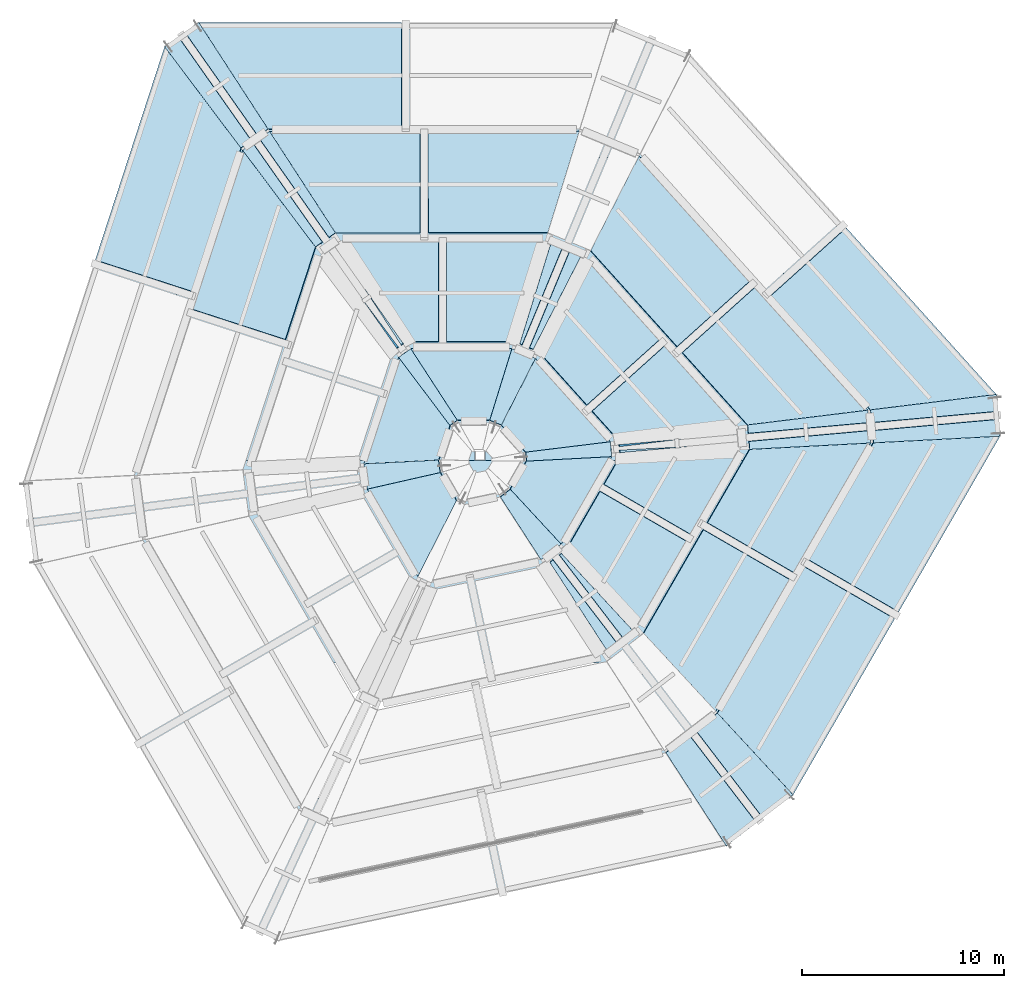
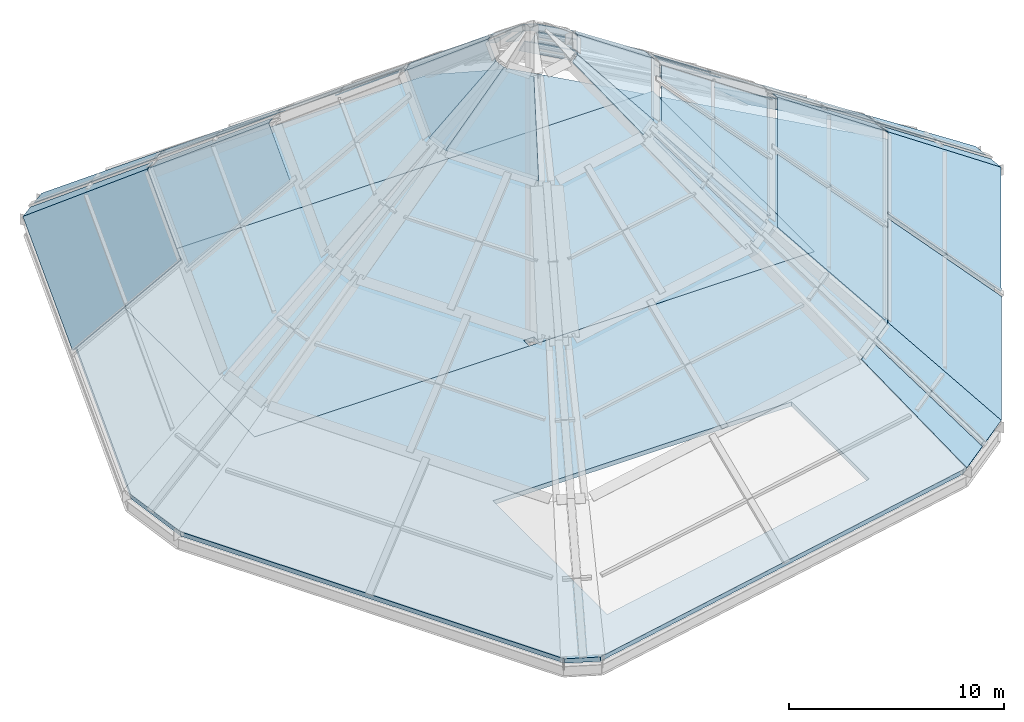
# One storey, part 5 of 10: 46 plates, 2 slabs, 10 elements without a shape of their own.
"""IFC4 building model written with IfcOpenShell, lengths in metres."""

from ifc_helpers import new_model, si_unit, direction, frame, origin, place, context, subcontext, project, spatial, polyline, outline, extrude, material, layer, layer_set, type_object, element, aggregate, save


model = new_model("IFC4")

# Units and contexts
model_context = context("Model", 3, precision=1e-05, world=origin(), true_north=direction((0.0, 1.0)))
body_context = subcontext(model_context, "Body", "Model", "MODEL_VIEW")
ifc_project = project(units=[si_unit("LENGTHUNIT", "METRE"), si_unit("AREAUNIT", "SQUARE_METRE"), si_unit("VOLUMEUNIT", "CUBIC_METRE"), si_unit("PLANEANGLEUNIT", "RADIAN"), si_unit("MASSUNIT", "GRAM", prefix="KILO")], contexts=[model_context])

# Site, building, storey
site_placement = place(None, origin())
site = spatial("IfcSite", under=ifc_project, at=site_placement, CompositionType="ELEMENT")
building_placement = place(site_placement, origin())
building = spatial("IfcBuilding", under=site, at=building_placement, Name="Isthmus Gate Tower", CompositionType="ELEMENT")
storey_placement = place(building_placement, frame((0.0, 0.0, 315.60009765625)))
storey = spatial("IfcBuildingStorey", under=building, at=storey_placement, Name="C4", CompositionType="ELEMENT", Elevation=315.60009765625)

# Slabs
ifc_material_1 = material(Name="Concrete f'c 40 MPa", Category="concrete")
ifc_layer_1 = layer(ifc_material_1, 0.25)
ifc_layer_set_1 = layer_set([ifc_layer_1], Name="CORE ROOF SLAB 250")
slab_type_1 = type_object("IfcSlabType", Name="CORE ROOF SLAB 250", PredefinedType="ROOF", material=ifc_layer_set_1)
slab_1_placement = place(storey_placement, frame((0.0, 0.0, -0.25)))
element("IfcSlab", 1, at=slab_1_placement, inside=storey, type_object=slab_type_1, Name="Core roof", PredefinedType="ROOF", context=body_context, shape_type="SweptSolid", body=[
    extrude(outline(polyline([(-15.0, 0.0), (-15.0, 15.0), (15.0, 15.0), (15.0, 0.0), (0.278564453125, 0.0), (0.278564453125, 0.528564453125), (-0.278564453125, 0.528564453125), (-0.278564453125, 0.0), (-15.0, 0.0)])), origin(), (0.0, 0.0, 1.0), 0.25),
])
ifc_material_2 = material(Name="Concrete f'c 40 MPa", Category="concrete")
ifc_layer_2 = layer(ifc_material_2, 0.25)
ifc_layer_set_2 = layer_set([ifc_layer_2], Name="CROWN PLANT ROOF SLAB 250")
slab_type_2 = type_object("IfcSlabType", Name="CROWN PLANT ROOF SLAB 250", PredefinedType="ROOF", material=ifc_layer_set_2)
slab_2_placement = place(storey_placement, frame((0.0, 0.0, -0.25)))
element("IfcSlab", 2, at=slab_2_placement, inside=storey, type_object=slab_type_2, Name="str-slab-C4-1", PredefinedType="ROOF", context=body_context, shape_type="SweptSolid", body=[
    extrude(outline(polyline([(10.1455078125, 19.88818359375), (14.546875, 15.0), (-15.0, 15.0), (-15.0, 0.0), (15.0, 0.0), (15.0, 14.496826171875), (25.30029296875, 3.05712890625), (25.45068359375, 1.381591796875), (15.174560546875, -16.416748046875), (12.15087890625, -18.73046875), (-10.00244140625, -23.439208984375), (-11.52880859375, -22.731689453125), (-21.8046875, -4.93310546875), (-22.29638671875, -1.15771484375), (-15.297607421875, 20.382080078125), (-13.921875, 21.35009765625), (6.630126953125, 21.35009765625), (10.1455078125, 19.88818359375)]), holes=[polyline([(-8.0, -20.611083984375), (8.0, -17.210205078125), (8.0, -10.0), (-8.0, -10.0), (-8.0, -20.611083984375)])]), origin(), (0.0, 0.0, 1.0), 0.25),
])

# Curtain wall, plates
ifc_material_3 = material(Name="Aluminium, white powder-coated", Category="aluminium")
ifc_layer_3 = layer(ifc_material_3, 0.199951171875)
ifc_layer_set_3 = layer_set([ifc_layer_3], Name="CW-5 CROWN FACET CURTAIN WALL 200 DEEP")
curtain_wall_type = type_object("IfcCurtainWallType", Name="CW-5 CROWN FACET CURTAIN WALL 200 DEEP", PredefinedType="NOTDEFINED", material=ifc_layer_set_3)
curtain_wall_1_placement = place(storey_placement, origin())
curtain_wall_1 = element("IfcCurtainWall", 3, at=curtain_wall_1_placement, inside=storey, type_object=curtain_wall_type, Name="CW-5 facet 1", PredefinedType="NOTDEFINED")
ifc_material_4 = material(Name="Laminated glass, pale blue tint with white frit", Category="glass")
ifc_layer_4 = layer(ifc_material_4, 0.035888671875)
ifc_layer_set_4 = layer_set([ifc_layer_4], Name="CW-5 GLASS LITE 36")
plate_type = type_object("IfcPlateType", Name="CW-5 GLASS LITE 36", PredefinedType="CURTAIN_PANEL", material=ifc_layer_set_4)
plate_1_placement = place(storey_placement, frame((-3.878173828125, 21.662109375, 0.291015625), z_axis=(1.311768e-06, 0.641925949797, 0.766766636582), x_axis=(-0.999999974801, -0.000171289676, 0.00014511202)))
plate_1 = element("IfcPlate", 4, at=plate_1_placement, type_object=plate_type, Name="CW-5 glass lite", PredefinedType="CURTAIN_PANEL", context=body_context, shape_type="SweptSolid", body=[
    extrude(outline(polyline([(0.0, 0.0), (10.025879158907436, 5.421010862427522e-19), (6.612623034424987, 6.8550083233580885), (0.000562226114843364, 6.854585873059012), (0.0, 0.0)])), origin(), (0.0, 0.0, -1.0), 0.035888671875),
])
placement_1 = place(building_placement, frame((0.0, 0.0, 320.10009765625)))
plate_2_placement = place(placement_1, frame((4.9033203125, 16.288818359375, 0.28955078125), z_axis=(3.902733e-06, 0.641940382661, 0.766754553357), x_axis=(-0.999999954574, -0.000228586994, 0.000196466985)))
plate_2 = element("IfcPlate", 5, at=plate_2_placement, type_object=plate_type, Name="CW-5 glass lite", PredefinedType="CURTAIN_PANEL", context=body_context, shape_type="SweptSolid", body=[
    extrude(outline(polyline([(0.0, 0.0), (7.467773776716603, 4.336808689942018e-19), (7.4685250590365735, 6.542964343307439), (1.5561711335390154, 6.542495554970179), (0.0, 0.0)])), origin(), (0.0, 0.0, -1.0), 0.035888671875),
])
plate_3_placement = place(placement_1, frame((-2.96435546875, 16.287109375, 0.291015625), z_axis=(1.5340588e-05, 0.641932699814, 0.766760985363), x_axis=(-0.999999954217, -0.000221875379, 0.000205761184)))
plate_3 = element("IfcPlate", 6, at=plate_3_placement, type_object=plate_type, Name="CW-5 glass lite", PredefinedType="CURTAIN_PANEL", context=body_context, shape_type="SweptSolid", body=[
    extrude(outline(polyline([(0.0, 0.0), (7.447510105243894, -2.168404344971009e-19), (4.189966017403029, 6.5436051147759695), (0.0010008434198526266, 6.543151466046655), (0.0, 0.0)])), origin(), (0.0, 0.0, -1.0), 0.035888671875),
])
placement_2 = place(building_placement, frame((0.0, 0.0, 324.60009765625)))
plate_4_placement = place(placement_2, frame((2.938232421875, 10.91357421875, 0.289794921875), z_axis=(6.851021e-06, 0.641940114568, 0.766754777789), x_axis=(-0.999999913646, -0.000314208677, 0.000271995925)))
plate_4 = element("IfcPlate", 7, at=plate_4_placement, type_object=plate_type, Name="CW-5 glass lite", PredefinedType="CURTAIN_PANEL", context=body_context, shape_type="SweptSolid", body=[
    extrude(outline(polyline([(0.0, 0.0), (4.588867583523828, 1.0842021724855044e-19), (4.590121655476298, 6.543308236008566), (1.5566735732773342, 6.5419740791920304), (0.0, 0.0)])), origin(), (0.0, 0.0, -1.0), 0.035888671875),
])
plate_5_placement = place(placement_2, frame((-2.05078125, 10.912109375, 0.291015625), z_axis=(-6.667606e-06, 0.641941249142, 0.766753827904), x_axis=(-0.999999894938, -0.000355716853, 0.000289117195)))
plate_5 = element("IfcPlate", 8, at=plate_5_placement, type_object=plate_type, Name="CW-5 glass lite", PredefinedType="CURTAIN_PANEL", context=body_context, shape_type="SweptSolid", body=[
    extrude(outline(polyline([(0.0, 0.0), (4.568603996480914, 5.421010862427522e-19), (1.312081692963715, 6.544270370083911), (0.0012901853317946583, 6.5434954839993065), (0.0, 0.0)])), origin(), (0.0, 0.0, -1.0), 0.035888671875),
])
placement_3 = place(building_placement, frame((0.0, 0.0, 329.10009765625)))
plate_6_placement = place(placement_3, frame((1.5732421875, 5.538818359375, 0.28955078125), z_axis=(1.1173464e-05, 0.641951889138, 0.766744919714), x_axis=(-0.99999959472, -0.000683082695, 0.000586478859)))
plate_6 = element("IfcPlate", 9, at=plate_6_placement, type_object=plate_type, Name="CW-5 glass lite", PredefinedType="CURTAIN_PANEL", context=body_context, shape_type="SweptSolid", body=[
    extrude(outline(polyline([(0.0, 0.0), (5.000246167082181, -2.168404344971009e-19), (2.7072788827751864, 4.61296889788637), (1.099365635175143, 4.610258898377349), (0.0, 0.0)])), origin(), (0.0, 0.0, -1.0), 0.035888671875),
])
aggregate(curtain_wall_1, [plate_1, plate_2, plate_3, plate_4, plate_5, plate_6])

curtain_wall_2_placement = place(storey_placement, origin())
curtain_wall_2 = element("IfcCurtainWall", 10, at=curtain_wall_2_placement, inside=storey, type_object=curtain_wall_type, Name="CW-5 facet 2", PredefinedType="NOTDEFINED")
plate_7_placement = place(storey_placement, frame((-13.904052734375, 21.660400390625, 0.29248046875), z_axis=(-0.330817683714, 0.470099135022, 0.818270409702), x_axis=(-0.818019632397, -0.575190237601, -0.000267548295)))
plate_7 = element("IfcPlate", 11, at=plate_7_placement, type_object=plate_type, Name="CW-5 glass lite", PredefinedType="CURTAIN_PANEL", context=body_context, shape_type="SweptSolid", body=[
    extrude(outline(polyline([(0.0, 0.0), (0.8365745252606901, -6.516055056637882e-17), (0.8347767849098917, 7.65418530774552), (0.2284321023238086, 7.654363151745944), (0.0, 0.0)])), origin(), (0.0, 0.0, -1.0), 0.035888671875),
])
plate_8_placement = place(storey_placement, frame((-14.91552734375, 20.94921875, 0.292236328125), z_axis=(-0.330787384644, 0.470131696098, 0.818263951598), x_axis=(-0.81794210038, -0.575300535467, -0.000119657807)))
plate_8 = element("IfcPlate", 12, at=plate_8_placement, type_object=plate_type, Name="CW-5 glass lite", PredefinedType="CURTAIN_PANEL", context=body_context, shape_type="SweptSolid", body=[
    extrude(outline(polyline([(0.0, 0.0), (0.8367149616608279, -9.467795471229667e-17), (0.6315835863395518, 7.65422988633471), (-0.00016217129680320616, 7.654348923837505), (0.0, 0.0)])), origin(), (0.0, 0.0, -1.0), 0.035888671875),
])
plate_9_placement = place(placement_1, frame((-10.411865234375, 16.285400390625, 0.29248046875), z_axis=(-0.330970425476, 0.469996857277, 0.818267396155), x_axis=(-0.818041474432, -0.575159001351, -0.000518915677)))
plate_9 = element("IfcPlate", 13, at=plate_9_placement, type_object=plate_type, Name="CW-5 glass lite", PredefinedType="CURTAIN_PANEL", context=body_context, shape_type="SweptSolid", body=[
    extrude(outline(polyline([(0.0, 0.0), (0.6138651727970095, -5.5348520905385e-17), (0.6113568719701084, 7.306454381809734), (0.2167403633344482, 7.306393432928966), (0.0, 0.0)])), origin(), (0.0, 0.0, -1.0), 0.035888671875),
])
plate_10_placement = place(placement_1, frame((-11.2412109375, 15.7021484375, 0.292236328125), z_axis=(-0.330814258853, 0.47011881428, 0.81826048823), x_axis=(-0.818069715389, -0.57511898225, -0.000311480983)))
plate_10 = element("IfcPlate", 14, at=plate_10_placement, type_object=plate_type, Name="CW-5 glass lite", PredefinedType="CURTAIN_PANEL", context=body_context, shape_type="SweptSolid", body=[
    extrude(outline(polyline([(0.0, 0.0), (0.6142053108070403, 2.4557179206796675e-17), (0.41638695620069127, 7.306425947333926), (-0.002070333221366666, 7.306291104382327), (0.0, 0.0)])), origin(), (0.0, 0.0, -1.0), 0.035888671875),
])
plate_11_placement = place(placement_2, frame((-7.164794921875, 10.73779296875, 0.292236328125), z_axis=(-0.329544818197, 0.470989475325, 0.818272037242), x_axis=(-0.819187890991, -0.573525203012, 0.000201900883)))
plate_11 = element("IfcPlate", 15, at=plate_11_placement, type_object=plate_type, Name="CW-5 glass lite", PredefinedType="CURTAIN_PANEL", context=body_context, shape_type="SweptSolid", body=[
    extrude(outline(polyline([(0.0, 0.0), (0.09150356474164516, 0.0), (0.08062989191485288, 7.306380337105606), (0.2078349222777918, 7.306792514619438), (0.0, 0.0)])), origin(), (0.0, 0.0, -1.0), 0.035888671875),
])
plate_12_placement = place(placement_2, frame((-7.56689453125, 10.455078125, 0.292236328125), z_axis=(-0.341348983835, 0.462472816809, 0.818290758195), x_axis=(-0.814055184754, -0.580675596472, -0.011402097916)))
plate_12 = element("IfcPlate", 16, at=plate_12_placement, type_object=plate_type, Name="CW-5 glass lite", PredefinedType="CURTAIN_PANEL", context=body_context, shape_type="SweptSolid", body=[
    extrude(outline(polyline([(0.0, 0.0), (0.09183469866753119, -6.938893903907228e-18), (-0.11170804467624419, 7.305968605218602), (-0.00713133886752583, 7.30622141152167), (0.0, 0.0)])), origin(), (0.0, 0.0, -1.0), 0.035888671875),
])
plate_13_placement = place(placement_3, frame((-3.427001953125, 5.535400390625, 0.29248046875), z_axis=(-0.330923936622, 0.470054623665, 0.818253016457), x_axis=(-0.818223647124, -0.574899673792, -0.000654492587)))
plate_13 = element("IfcPlate", 17, at=plate_13_placement, type_object=plate_type, Name="CW-5 glass lite", PredefinedType="CURTAIN_PANEL", context=body_context, shape_type="SweptSolid", body=[
    extrude(outline(polyline([(0.0, 0.0), (0.7384900801616151, 5.876375774871434e-17), (0.5968242805261128, 5.149285692127389), (0.15100605767996697, 5.149211414410021), (0.0, 0.0)])), origin(), (0.0, 0.0, -1.0), 0.035888671875),
])
aggregate(curtain_wall_2, [plate_7, plate_8, plate_9, plate_10, plate_11, plate_12, plate_13])

curtain_wall_3_placement = place(storey_placement, origin())
curtain_wall_3 = element("IfcCurtainWall", 18, at=curtain_wall_3_placement, inside=storey, type_object=curtain_wall_type, Name="CW-5 facet 3", PredefinedType="NOTDEFINED")
plate_14_placement = place(storey_placement, frame((-15.599853515625, 20.4677734375, 0.2919921875), z_axis=(-0.618989316575, 0.201124725934, 0.759210820908), x_axis=(-0.309198126648, -0.950997630382, -0.000159638564)))
plate_14 = element("IfcPlate", 19, at=plate_14_placement, type_object=plate_type, Name="CW-5 glass lite", PredefinedType="CURTAIN_PANEL", context=body_context, shape_type="SweptSolid", body=[
    extrude(outline(polyline([(0.0, 0.0), (11.085723264350506, 5.067560954197248e-16), (11.085100970665218, 6.760762885446818), (3.593327486979185, 6.76145780360286), (0.0, 0.0)])), origin(), (0.0, 0.0, -1.0), 0.035888671875),
])
plate_15_placement = place(placement_1, frame((-11.74365234375, 15.348876953125, 0.2919921875), z_axis=(-0.618979466958, 0.201123945393, 0.759219058029), x_axis=(-0.309269663952, -0.950974356162, -0.000221092)))
plate_15 = element("IfcPlate", 20, at=plate_15_placement, type_object=plate_type, Name="CW-5 glass lite", PredefinedType="CURTAIN_PANEL", context=body_context, shape_type="SweptSolid", body=[
    extrude(outline(polyline([(0.0, 0.0), (8.244300150728145, 1.196959198423997e-16), (8.243365911410255, 6.4537217553784805), (3.429568139001833, 6.4545375192148295), (0.0, 0.0)])), origin(), (0.0, 0.0, -1.0), 0.035888671875),
])
plate_16_placement = place(placement_3, frame((-4.03125, 5.11083984375, 0.2919921875), z_axis=(-0.618994283246, 0.201114217799, 0.759209555201), x_axis=(-0.309748322165, -0.950818345853, -0.000670898787)))
plate_16 = element("IfcPlate", 21, at=plate_16_placement, type_object=plate_type, Name="CW-5 glass lite", PredefinedType="CURTAIN_PANEL", context=body_context, shape_type="SweptSolid", body=[
    extrude(outline(polyline([(0.0, 0.0), (5.540832483756188, -3.5128150388530344e-17), (4.216621428420041, 4.546587294625351), (2.4138835231737077, 4.55064596175416), (0.0, 0.0)])), origin(), (0.0, 0.0, -1.0), 0.035888671875),
])
aggregate(curtain_wall_3, [plate_14, plate_15, plate_16])

# Curtain wall, plate
curtain_wall_4_placement = place(storey_placement, origin())
curtain_wall_4 = element("IfcCurtainWall", 22, at=curtain_wall_4_placement, inside=storey, type_object=curtain_wall_type, Name="CW-5 facet 4", PredefinedType="NOTDEFINED")
plate_17_placement = place(placement_3, frame((-5.74755859375, -0.157470703125, 0.288330078125), z_axis=(-0.621021362975, -0.080788855863, 0.779618898884), x_axis=(0.130305468517, -0.991473333927, 0.001054981345)))
plate_17 = element("IfcPlate", 23, at=plate_17_placement, type_object=plate_type, Name="CW-5 glass lite", PredefinedType="CURTAIN_PANEL", context=body_context, shape_type="SweptSolid", body=[
    extrude(outline(polyline([(0.0, 0.0), (1.2602688911764202, 3.0357660829594124e-18), (0.9213634191790298, 4.727246178824955), (0.2977795693709929, 4.726131426503501), (0.0, 0.0)])), origin(), (0.0, 0.0, -1.0), 0.035888671875),
])
aggregate(curtain_wall_4, [plate_17])

curtain_wall_5_placement = place(storey_placement, origin())
curtain_wall_5 = element("IfcCurtainWall", 24, at=curtain_wall_5_placement, inside=storey, type_object=curtain_wall_type, Name="CW-5 facet 5", PredefinedType="NOTDEFINED")
plate_18_placement = place(placement_3, frame((-5.583251953125, -1.406982421875, 0.28955078125), z_axis=(-0.555950930654, -0.320971172547, 0.7667438093), x_axis=(0.500581487896, -0.865689233191, 0.000570537147)))
plate_18 = element("IfcPlate", 25, at=plate_18_placement, type_object=plate_type, Name="CW-5 glass lite", PredefinedType="CURTAIN_PANEL", context=body_context, shape_type="SweptSolid", body=[
    extrude(outline(polyline([(0.0, 0.0), (5.000155850789983, -2.211772431870429e-16), (2.7071584639319113, 4.613026601552089), (1.0991849153735034, 4.610152479627338), (0.0, 0.0)])), origin(), (0.0, 0.0, -1.0), 0.035888671875),
])
aggregate(curtain_wall_5, [plate_18])

# Curtain wall, plates
curtain_wall_6_placement = place(storey_placement, origin())
curtain_wall_6 = element("IfcCurtainWall", 26, at=curtain_wall_6_placement, inside=storey, type_object=curtain_wall_type, Name="CW-5 facet 8", PredefinedType="NOTDEFINED")
plate_19_placement = place(storey_placement, frame((12.171630859375, -19.05126953125, 0.288330078125), z_axis=(0.380546099495, -0.497359004219, 0.77962727446), x_axis=(0.793940691465, 0.607995120474, 0.000334537196)))
plate_19 = element("IfcPlate", 27, at=plate_19_placement, type_object=plate_type, Name="CW-5 glass lite", PredefinedType="CURTAIN_PANEL", context=body_context, shape_type="SweptSolid", body=[
    extrude(outline(polyline([(0.0, 0.0), (1.8821740980794375, -6.960577947356938e-17), (1.8838120700499381, 7.026025805192353), (0.4352994429632794, 7.025855800249628), (0.0, 0.0)])), origin(), (0.0, 0.0, -1.0), 0.035888671875),
])
plate_20_placement = place(storey_placement, frame((13.983642578125, -17.663818359375, 0.2890625), z_axis=(0.380549310124, -0.497349057283, 0.77963205282), x_axis=(0.793964580693, 0.607963945777, 0.000291960609)))
plate_20 = element("IfcPlate", 28, at=plate_20_placement, type_object=plate_type, Name="CW-5 glass lite", PredefinedType="CURTAIN_PANEL", context=body_context, shape_type="SweptSolid", body=[
    extrude(outline(polyline([(0.0, 0.0), (1.8812956480867566, 8.776616586270158e-17), (1.369812731946174, 7.02646001772654), (0.001235497786658394, 7.026025888294349), (0.0, 0.0)])), origin(), (0.0, 0.0, -1.0), 0.035888671875),
])
plate_21_placement = place(placement_2, frame((6.30224609375, -9.433837890625, 0.28857421875), z_axis=(0.380568384454, -0.497327523492, 0.779636478836), x_axis=(0.793590442703, 0.608451844724, 0.000749601153)))
plate_21 = element("IfcPlate", 29, at=plate_21_placement, type_object=plate_type, Name="CW-5 glass lite", PredefinedType="CURTAIN_PANEL", context=body_context, shape_type="SweptSolid", body=[
    extrude(outline(polyline([(0.0, 0.0), (0.6143411590706316, -2.439454888092385e-17), (0.6188514256375461, 6.706741587530281), (0.42005555122988375, 6.706155488292827), (0.0, 0.0)])), origin(), (0.0, 0.0, -1.0), 0.035888671875),
])
plate_22_placement = place(placement_2, frame((7.107421875, -8.81689453125, 0.2890625), z_axis=(0.380523291739, -0.497361980904, 0.779636507865), x_axis=(0.793576634488, 0.60846973522, 0.000840545075)))
plate_22 = element("IfcPlate", 30, at=plate_22_placement, type_object=plate_type, Name="CW-5 glass lite", PredefinedType="CURTAIN_PANEL", context=body_context, shape_type="SweptSolid", body=[
    extrude(outline(polyline([(0.0, 0.0), (0.6134628211451602, -6.928051882182373e-17), (0.13085241521762234, 6.707308344414111), (0.005010395062459269, 6.706741232550355), (0.0, 0.0)])), origin(), (0.0, 0.0, -1.0), 0.035888671875),
])
plate_23_placement = place(placement_3, frame((3.01025390625, -4.89892578125, 0.288330078125), z_axis=(0.380497750102, -0.497387144658, 0.779632920352), x_axis=(0.793427646306, 0.608663616518, 0.00108259152)))
plate_23 = element("IfcPlate", 31, at=plate_23_placement, type_object=plate_type, Name="CW-5 glass lite", PredefinedType="CURTAIN_PANEL", context=body_context, shape_type="SweptSolid", body=[
    extrude(outline(polyline([(0.0, 0.0), (1.2601349383985874, 3.0466081046842675e-17), (0.9218536683534114, 4.727336831744321), (0.29822409554152496, 4.726304953114706), (0.0, 0.0)])), origin(), (0.0, 0.0, -1.0), 0.035888671875),
])
aggregate(curtain_wall_6, [plate_19, plate_20, plate_21, plate_22, plate_23])

curtain_wall_7_placement = place(storey_placement, origin())
curtain_wall_7 = element("IfcCurtainWall", 32, at=curtain_wall_7_placement, inside=storey, type_object=curtain_wall_type, Name="CW-5 facet 9", PredefinedType="NOTDEFINED")
plate_24_placement = place(storey_placement, frame((15.477294921875, -16.52001953125, 0.28955078125), z_axis=(0.555936365046, -0.320978099739, 0.766751470495), x_axis=(0.499858539841, 0.866107048157, 0.000145881444)))
plate_24 = element("IfcPlate", 33, at=plate_24_placement, type_object=plate_type, Name="CW-5 glass lite", PredefinedType="CURTAIN_PANEL", context=body_context, shape_type="SweptSolid", body=[
    extrude(outline(polyline([(0.0, 0.0), (10.046300385151671, -3.6678559495184615e-16), (10.046807851969008, 6.854406854618077), (1.629387987608038, 6.854038951316914), (0.0, 0.0)])), origin(), (0.0, 0.0, -1.0), 0.035888671875),
])
plate_25_placement = place(storey_placement, frame((20.698974609375, -7.472412109375, 0.291015625), z_axis=(0.555936950598, -0.320965585799, 0.766756284417), x_axis=(0.499847430083, 0.866113460493, 0.000142102742)))
plate_25 = element("IfcPlate", 34, at=plate_25_placement, type_object=plate_type, Name="CW-5 glass lite", PredefinedType="CURTAIN_PANEL", context=body_context, shape_type="SweptSolid", body=[
    extrude(outline(polyline([(0.0, 0.0), (10.025950344903848, -4.597017211338539e-17), (6.612673754659173, 6.854907260077134), (0.000558256526989711, 6.85440685046995), (0.0, 0.0)])), origin(), (0.0, 0.0, -1.0), 0.035888671875),
])
plate_26_placement = place(placement_1, frame((11.65478515625, -12.390625, 0.28955078125), z_axis=(0.555942042753, -0.320975110622, 0.766748605125), x_axis=(0.499805656279, 0.866137558291, 0.000189920208)))
plate_26 = element("IfcPlate", 35, at=plate_26_placement, type_object=plate_type, Name="CW-5 glass lite", PredefinedType="CURTAIN_PANEL", context=body_context, shape_type="SweptSolid", body=[
    extrude(outline(polyline([(0.0, 0.0), (7.467678795046628, 2.9674613460928256e-16), (7.468612676395134, 6.542968049945369), (1.5557751043030974, 6.542362927134295), (0.0, 0.0)])), origin(), (0.0, 0.0, -1.0), 0.035888671875),
])
plate_27_placement = place(placement_1, frame((15.587158203125, -5.576171875, 0.291015625), z_axis=(0.555921194641, -0.320995932332, 0.766755004401), x_axis=(0.499837515672, 0.866119171604, 0.000196232382)))
plate_27 = element("IfcPlate", 36, at=plate_27_placement, type_object=plate_type, Name="CW-5 glass lite", PredefinedType="CURTAIN_PANEL", context=body_context, shape_type="SweptSolid", body=[
    extrude(outline(polyline([(0.0, 0.0), (7.44723932925252, 9.80118763926896e-17), (4.189497739076867, 6.5435946007744565), (0.0007758519337827656, 6.542968070873067), (0.0, 0.0)])), origin(), (0.0, 0.0, -1.0), 0.035888671875),
])
plate_28_placement = place(placement_2, frame((7.982421875, -8.00146484375, 0.289794921875), z_axis=(0.555931056201, -0.320957397857, 0.766763985534), x_axis=(0.499707980319, 0.866193893254, 0.000271469098)))
plate_28 = element("IfcPlate", 37, at=plate_28_placement, type_object=plate_type, Name="CW-5 glass lite", PredefinedType="CURTAIN_PANEL", context=body_context, shape_type="SweptSolid", body=[
    extrude(outline(polyline([(0.0, 0.0), (4.5891424283298115, -4.7488055154865094e-17), (4.590195640731151, 6.543424076335354), (1.5568946189669641, 6.542083695123247), (0.0, 0.0)])), origin(), (0.0, 0.0, -1.0), 0.035888671875),
])
plate_29_placement = place(placement_2, frame((10.4755859375, -3.679931640625, 0.291015625), z_axis=(0.555935146732, -0.320977539848, 0.766752588219), x_axis=(0.499718706106, 0.866187702348, 0.000281193107)))
plate_29 = element("IfcPlate", 38, at=plate_29_placement, type_object=plate_type, Name="CW-5 glass lite", PredefinedType="CURTAIN_PANEL", context=body_context, shape_type="SweptSolid", body=[
    extrude(outline(polyline([(0.0, 0.0), (4.568580931180343, 1.8431436932253575e-17), (1.3118845025854267, 6.544271521697337), (0.0010319227115102, 6.543424079277837), (0.0, 0.0)])), origin(), (0.0, 0.0, -1.0), 0.035888671875),
])
plate_30_placement = place(placement_3, frame((4.010009765625, -4.1318359375, 0.28955078125), z_axis=(0.555943242556, -0.320986965579, 0.766742772372), x_axis=(0.499422554061, 0.866358346452, 0.000572737869)))
plate_30 = element("IfcPlate", 39, at=plate_30_placement, type_object=plate_type, Name="CW-5 glass lite", PredefinedType="CURTAIN_PANEL", context=body_context, shape_type="SweptSolid", body=[
    extrude(outline(polyline([(0.0, 0.0), (5.000308270943196, 8.586881206085195e-17), (2.7071562025844167, 4.613008437349841), (1.0993637567275092, 4.610156949100176), (0.0, 0.0)])), origin(), (0.0, 0.0, -1.0), 0.035888671875),
])
aggregate(curtain_wall_7, [plate_24, plate_25, plate_26, plate_27, plate_28, plate_29, plate_30])

curtain_wall_8_placement = place(storey_placement, origin())
curtain_wall_8 = element("IfcCurtainWall", 40, at=curtain_wall_8_placement, inside=storey, type_object=curtain_wall_type, Name="CW-5 facet 10", PredefinedType="NOTDEFINED")
plate_31_placement = place(storey_placement, frame((25.71044921875, 1.211181640625, 0.29248046875), z_axis=(0.572528097904, 0.051441780313, 0.81826971125), x_axis=(-0.089048739083, 0.996027221178, -0.000311032275)))
plate_31 = element("IfcPlate", 41, at=plate_31_placement, type_object=plate_type, Name="CW-5 glass lite", PredefinedType="CURTAIN_PANEL", context=body_context, shape_type="SweptSolid", body=[
    extrude(outline(polyline([(0.0, 0.0), (0.8363293591578016, -5.773376568485311e-18), (0.8340973462994415, 7.654235140359509), (0.2276883063671049, 7.654303930683154), (0.0, 0.0)])), origin(), (0.0, 0.0, -1.0), 0.035888671875),
])
plate_32_placement = place(storey_placement, frame((25.600341796875, 2.442626953125, 0.292236328125), z_axis=(0.572533828614, 0.051455338143, 0.818264849098), x_axis=(-0.089215407357, 0.996012332885, -0.000209360867)))
plate_32 = element("IfcPlate", 42, at=plate_32_placement, type_object=plate_type, Name="CW-5 glass lite", PredefinedType="CURTAIN_PANEL", context=body_context, shape_type="SweptSolid", body=[
    extrude(outline(polyline([(0.0, 0.0), (0.8368374581250027, 4.038653092508504e-18), (0.6309363551131593, 7.654345561150603), (-0.0007366285155000389, 7.654235429907914), (0.0, 0.0)])), origin(), (0.0, 0.0, -1.0), 0.035888671875),
])
plate_33_placement = place(placement_1, frame((19.3095703125, 0.8740234375, 0.29248046875), z_axis=(0.572515613809, 0.051597152663, 0.818268663571), x_axis=(-0.089108815712, 0.996021791003, -0.000459140255)))
plate_33 = element("IfcPlate", 43, at=plate_33_placement, type_object=plate_type, Name="CW-5 glass lite", PredefinedType="CURTAIN_PANEL", context=body_context, shape_type="SweptSolid", body=[
    extrude(outline(polyline([(0.0, 0.0), (0.6140125537895547, 4.472333961502706e-18), (0.6118736290990808, 7.306413506604825), (0.21723807926571728, 7.306457293548674), (0.0, 0.0)])), origin(), (0.0, 0.0, -1.0), 0.035888671875),
])
plate_34_placement = place(placement_1, frame((19.218994140625, 1.884033203125, 0.292236328125), z_axis=(0.572546444912, 0.051428499274, 0.818257708721), x_axis=(-0.088987535824, 0.99603268297, -0.000336041851)))
plate_34 = element("IfcPlate", 44, at=plate_34_placement, type_object=plate_type, Name="CW-5 glass lite", PredefinedType="CURTAIN_PANEL", context=body_context, shape_type="SweptSolid", body=[
    extrude(outline(polyline([(0.0, 0.0), (0.6142557245089185, 3.6591823321385775e-18), (0.41604702311544417, 7.306393427994674), (-0.0023716494456823512, 7.306214457953189), (0.0, 0.0)])), origin(), (0.0, 0.0, -1.0), 0.035888671875),
])
plate_35_placement = place(placement_2, frame((12.881591796875, 0.8359375, 0.292236328125), z_axis=(0.572693282309, 0.049651318848, 0.818264719351), x_axis=(-0.087391572475, 0.996173779039, 0.000717646187)))
plate_35 = element("IfcPlate", 45, at=plate_35_placement, type_object=plate_type, Name="CW-5 glass lite", PredefinedType="CURTAIN_PANEL", context=body_context, shape_type="SweptSolid", body=[
    extrude(outline(polyline([(0.0, 0.0), (0.09166330938773404, -1.734723475976807e-18), (0.08462500565959405, 7.306175850534193), (0.21185213282600293, 7.306556161497161), (0.0, 0.0)])), origin(), (0.0, 0.0, -1.0), 0.035888671875),
])
plate_36_placement = place(placement_2, frame((12.837890625, 1.32568359375, 0.292236328125), z_axis=(0.57114612507, 0.064658051895, 0.818297892056), x_axis=(-0.09601812103, 0.995311673801, -0.011627227915)))
plate_36 = element("IfcPlate", 46, at=plate_36_placement, type_object=plate_type, Name="CW-5 glass lite", PredefinedType="CURTAIN_PANEL", context=body_context, shape_type="SweptSolid", body=[
    extrude(outline(polyline([(0.0, 0.0), (0.0916540927723698, 8.673617379884035e-19), (-0.11170965912418104, 7.306111297225792), (-0.007036126059418363, 7.3063747148766796), (0.0, 0.0)])), origin(), (0.0, 0.0, -1.0), 0.035888671875),
])
plate_37_placement = place(placement_3, frame((6.50732421875, 0.2001953125, 0.29248046875), z_axis=(0.572556508994, 0.051341372263, 0.818256138078), x_axis=(-0.088524243264, 0.996073867543, -0.00055565431)))
plate_37 = element("IfcPlate", 47, at=plate_37_placement, type_object=plate_type, Name="CW-5 glass lite", PredefinedType="CURTAIN_PANEL", context=body_context, shape_type="SweptSolid", body=[
    extrude(outline(polyline([(0.0, 0.0), (0.7385000418485282, 9.053088140253962e-18), (0.5961007320870079, 5.149221246518557), (0.15027277215506948, 5.149350574968331), (0.0, 0.0)])), origin(), (0.0, 0.0, -1.0), 0.035888671875),
])
aggregate(curtain_wall_8, [plate_31, plate_32, plate_33, plate_34, plate_35, plate_36, plate_37])

curtain_wall_9_placement = place(storey_placement, origin())
curtain_wall_9 = element("IfcCurtainWall", 48, at=curtain_wall_9_placement, inside=storey, type_object=curtain_wall_type, Name="CW-5 facet 11", PredefinedType="NOTDEFINED")
plate_38_placement = place(storey_placement, frame((25.525634765625, 3.276123046875, 0.2919921875), z_axis=(0.483668858048, 0.435489897656, 0.759218667311), x_axis=(-0.668989703641, 0.743271654473, -0.000155173649)))
plate_38 = element("IfcPlate", 49, at=plate_38_placement, type_object=plate_type, Name="CW-5 glass lite", PredefinedType="CURTAIN_PANEL", context=body_context, shape_type="SweptSolid", body=[
    extrude(outline(polyline([(0.0, 0.0), (11.085771399460896, -1.5846698953048133e-15), (11.085134090853227, 6.760781914375901), (3.593342300963052, 6.761604273300548), (0.0, 0.0)])), origin(), (0.0, 0.0, -1.0), 0.035888671875),
])
plate_39_placement = place(placement_1, frame((19.164306640625, 2.495849609375, 0.2919921875), z_axis=(0.48367110082, 0.435497119077, 0.759213096244), x_axis=(-0.668940107858, 0.743316275088, -0.000217459385)))
plate_39 = element("IfcPlate", 50, at=plate_39_placement, type_object=plate_type, Name="CW-5 glass lite", PredefinedType="CURTAIN_PANEL", context=body_context, shape_type="SweptSolid", body=[
    extrude(outline(polyline([(0.0, 0.0), (8.244304550683088, -5.405832032012725e-16), (8.243446729568447, 6.453606799753166), (3.4296006297434007, 6.454495419810363), (0.0, 0.0)])), origin(), (0.0, 0.0, -1.0), 0.035888671875),
])
plate_40_placement = place(placement_1, frame((13.3818359375, 8.92138671875, 0.290283203125), z_axis=(0.483651850178, 0.435501177136, 0.75922303214), x_axis=(-0.668942797147, 0.74331384945, -0.000235286479)))
plate_40 = element("IfcPlate", 51, at=plate_40_placement, type_object=plate_type, Name="CW-5 glass lite", PredefinedType="CURTAIN_PANEL", context=body_context, shape_type="SweptSolid", body=[
    extrude(outline(polyline([(0.0, 0.0), (8.262796220784814, -3.0357660829594124e-18), (6.387985320715207, 6.452526566033514), (-0.0009149535179026208, 6.453606792839569), (0.0, 0.0)])), origin(), (0.0, 0.0, -1.0), 0.035888671875),
])
plate_41_placement = place(placement_2, frame((12.602294921875, 1.938720703125, 0.2919921875), z_axis=(0.483670611938, 0.435496613451, 0.75921369773), x_axis=(-0.668831864548, 0.743413626367, -0.000342195441)))
plate_41 = element("IfcPlate", 52, at=plate_41_placement, type_object=plate_type, Name="CW-5 glass lite", PredefinedType="CURTAIN_PANEL", context=body_context, shape_type="SweptSolid", body=[
    extrude(outline(polyline([(0.0, 0.0), (5.102725575285322, -4.772657963281191e-16), (5.101138521120152, 6.453917146247461), (3.428199965837988, 6.4548560634449), (0.0, 0.0)])), origin(), (0.0, 0.0, -1.0), 0.035888671875),
])
plate_42_placement = place(placement_2, frame((8.921875, 6.029541015625, 0.290283203125), z_axis=(0.483668283684, 0.435513722643, 0.759205366649), x_axis=(-0.668831097479, 0.743414307157, -0.000361882826)))
plate_42 = element("IfcPlate", 53, at=plate_42_placement, type_object=plate_type, Name="CW-5 glass lite", PredefinedType="CURTAIN_PANEL", context=body_context, shape_type="SweptSolid", body=[
    extrude(outline(polyline([(0.0, 0.0), (5.121217260376135, 2.1055206189668496e-16), (3.2453202094296785, 6.452193105821507), (-0.0016747751215914267, 6.4539171229257795), (0.0, 0.0)])), origin(), (0.0, 0.0, -1.0), 0.035888671875),
])
plate_43_placement = place(placement_3, frame((6.44189453125, 0.935791015625, 0.2919921875), z_axis=(0.483651048721, 0.435531517704, 0.759206138119), x_axis=(-0.668582752451, 0.743637438386, -0.000680701533)))
plate_43 = element("IfcPlate", 54, at=plate_43_placement, type_object=plate_type, Name="CW-5 glass lite", PredefinedType="CURTAIN_PANEL", context=body_context, shape_type="SweptSolid", body=[
    extrude(outline(polyline([(0.0, 0.0), (5.541063862623711, 2.8579569266717897e-16), (4.216677090253067, 4.546623087780357), (2.413930759932751, 4.5505708744575175), (0.0, 0.0)])), origin(), (0.0, 0.0, -1.0), 0.035888671875),
])
aggregate(curtain_wall_9, [plate_38, plate_39, plate_40, plate_41, plate_42, plate_43])

curtain_wall_10_placement = place(storey_placement, origin())
curtain_wall_10 = element("IfcCurtainWall", 55, at=curtain_wall_10_placement, inside=storey, type_object=curtain_wall_type, Name="CW-5 facet 12", PredefinedType="NOTDEFINED")
plate_44_placement = place(placement_2, frame((5.018798828125, 10.1748046875, 0.28857421875), z_axis=(0.240491413678, 0.578204879918, 0.779642864898), x_axis=(-0.923691403341, 0.38313650613, 0.000780426399)))
plate_44 = element("IfcPlate", 56, at=plate_44_placement, type_object=plate_type, Name="CW-5 glass lite", PredefinedType="CURTAIN_PANEL", context=body_context, shape_type="SweptSolid", body=[
    extrude(outline(polyline([(0.0, 0.0), (0.6142587827454656, -2.0708261494473135e-17), (0.618360843561287, 6.706797288288689), (0.41977934623092805, 6.706250837604893), (0.0, 0.0)])), origin(), (0.0, 0.0, -1.0), 0.035888671875),
])
plate_45_placement = place(placement_2, frame((4.08203125, 10.563720703125, 0.2890625), z_axis=(0.240352099034, 0.578261615032, 0.779643747535), x_axis=(-0.92379235071, 0.382893005976, 0.000799214445)))
plate_45 = element("IfcPlate", 57, at=plate_45_placement, type_object=plate_type, Name="CW-5 glass lite", PredefinedType="CURTAIN_PANEL", context=body_context, shape_type="SweptSolid", body=[
    extrude(outline(polyline([(0.0, 0.0), (0.613395194379028, -5.2366964931049864e-17), (0.13168755373867513, 6.707411873704878), (0.005559289275850728, 6.706796238706389), (0.0, 0.0)])), origin(), (0.0, 0.0, -1.0), 0.035888671875),
])
plate_46_placement = place(placement_3, frame((2.7373046875, 5.056396484375, 0.288330078125), z_axis=(0.240543926518, 0.578197797714, 0.779631917082), x_axis=(-0.92378541239, 0.382909156912, 0.001043747808)))
plate_46 = element("IfcPlate", 58, at=plate_46_placement, type_object=plate_type, Name="CW-5 glass lite", PredefinedType="CURTAIN_PANEL", context=body_context, shape_type="SweptSolid", body=[
    extrude(outline(polyline([(0.0, 0.0), (1.2600689841479036, 2.688821387764051e-17), (0.9210715211983795, 4.7273853889131825), (0.29743869670437945, 4.726236563383163), (0.0, 0.0)])), origin(), (0.0, 0.0, -1.0), 0.035888671875),
])
aggregate(curtain_wall_10, [plate_44, plate_45, plate_46])

save(model, "model.ifc")
